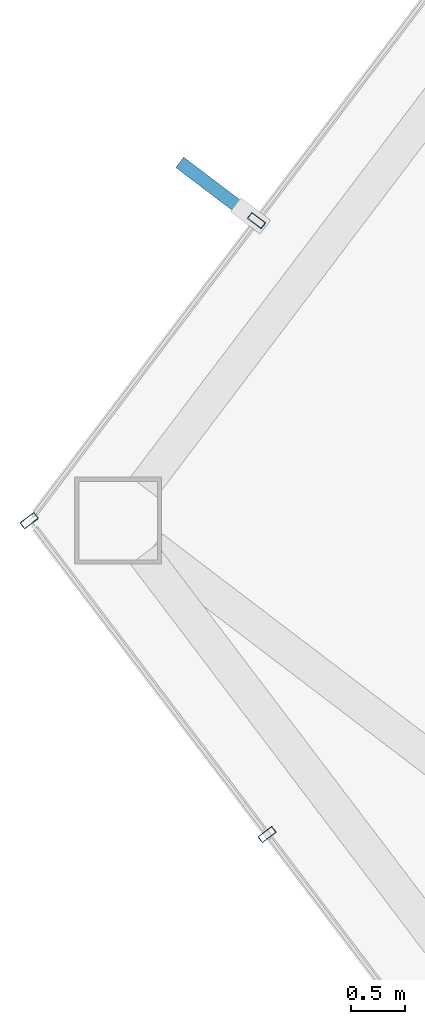
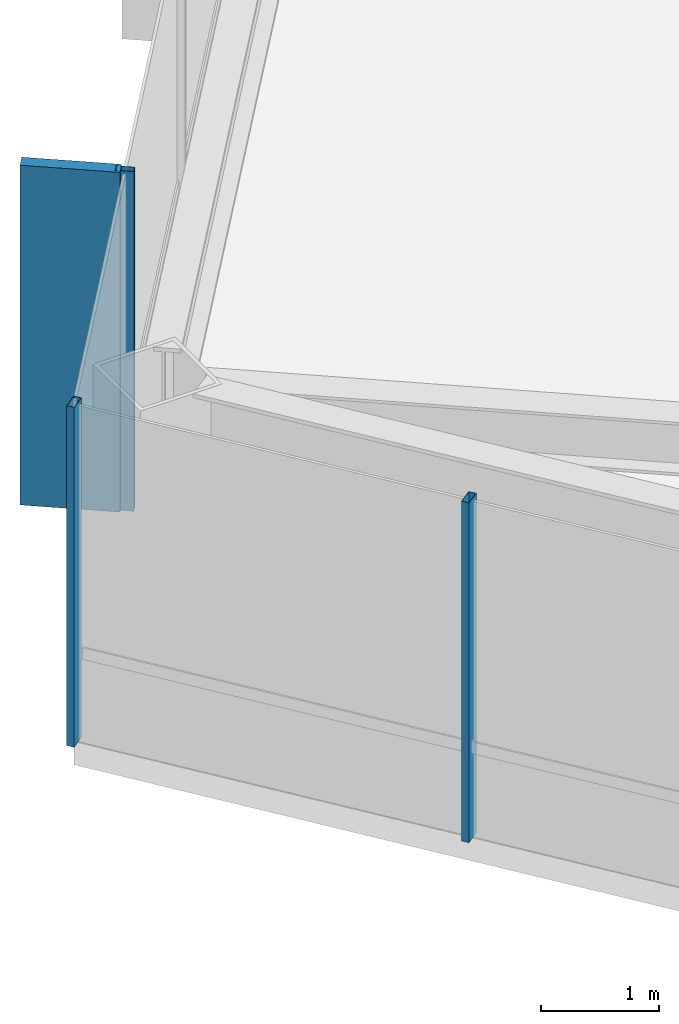
# One storey, part 9 of 28: 4 members, 2 elements without a shape of their own.
"""IFC4 building model written with IfcOpenShell, lengths in metres."""

from ifc_helpers import new_model, si_unit, direction, frame, origin, origin_2d, place, context, subcontext, project, spatial, rectangle, hollow_rectangle, extrude, material, layer, layer_set, material_profile, profile_set, type_object, element, aggregate, save


model = new_model("IFC4")

# Units and contexts
model_context = context("Model", 3, precision=1e-05, world=origin(), true_north=direction((0.0, 1.0)))
body_context = subcontext(model_context, "Body", "Model", "MODEL_VIEW")
ifc_project = project(units=[si_unit("LENGTHUNIT", "METRE"), si_unit("AREAUNIT", "SQUARE_METRE"), si_unit("VOLUMEUNIT", "CUBIC_METRE"), si_unit("PLANEANGLEUNIT", "RADIAN"), si_unit("MASSUNIT", "GRAM", prefix="KILO")], contexts=[model_context])

# Site, building, storey
site_placement = place(None, origin())
site = spatial("IfcSite", under=ifc_project, at=site_placement, CompositionType="ELEMENT")
building_placement = place(site_placement, origin())
building = spatial("IfcBuilding", under=site, at=building_placement, Name="Zarrinselat Tower", CompositionType="ELEMENT")
storey_placement = place(building_placement, frame((0.0, 0.0, 157.080078125)))
storey = spatial("IfcBuildingStorey", under=building, at=storey_placement, Name="L38", CompositionType="ELEMENT", Elevation=157.080078125)

# Curtain wall, members
ifc_material_1 = material(Name="Extruded Aluminium Alloy EN AW-6063 T6", Category="aluminium")
ifc_layer = layer(ifc_material_1, 0.175048828125)
ifc_layer_set = layer_set([ifc_layer], Name="Extruded Aluminium Alloy EN AW-6063 T6")
curtain_wall_type = type_object("IfcCurtainWallType", Name="CWS-HTL", PredefinedType="NOTDEFINED", material=ifc_layer_set)
curtain_wall_1_placement = place(storey_placement, origin())
curtain_wall_1 = element("IfcCurtainWall", 1, at=curtain_wall_1_placement, inside=storey, type_object=curtain_wall_type, Name="L38 Unitised Curtain Wall CW-L38-E01", PredefinedType="NOTDEFINED")
ifc_material_2 = material(Name="Extruded Aluminium Alloy EN AW-6063 T6", Category="aluminium")
ifc_material_profile_1 = material_profile(ifc_material_2, hollow_rectangle(XDim=0.070068359375, YDim=0.159912109375, WallThickness=0.00390625, at=origin_2d()), Name="RHS 160x70x4")
ifc_profile_set_1 = profile_set([ifc_material_profile_1], Name="Extruded Aluminium Alloy EN AW-6063 T6")
member_type_1 = type_object("IfcMemberType", Name="MEM-CW-MUL2", PredefinedType="MULLION", material=ifc_profile_set_1)
member_1_placement = place(storey_placement, frame((17.430908203125, 35.015869140625, 0.0), z_axis=(0.0, 0.0, 1.0), x_axis=(-0.603857992276, 0.797091917639, 0.0)))
member_1 = element("IfcMember", 2, at=member_1_placement, type_object=member_type_1, Name="CW-L38-E01 Mullion 6", PredefinedType="MULLION", context=body_context, shape_type="SweptSolid", body=[
    extrude(hollow_rectangle(XDim=0.070068359375, YDim=0.159912109375, WallThickness=0.00390625, at=origin_2d()), origin(), (0.0, 0.0, 1.0), 3.5),
])
member_2_placement = place(storey_placement, frame((15.24755859375, 37.89794921875, 0.0), z_axis=(0.0, 0.0, 1.0), x_axis=(-0.603857992276, 0.797091917639, 0.0)))
member_2 = element("IfcMember", 3, at=member_2_placement, type_object=member_type_1, Name="CW-L38-E01 Mullion 7", PredefinedType="MULLION", context=body_context, shape_type="SweptSolid", body=[
    extrude(hollow_rectangle(XDim=0.070068359375, YDim=0.159912109375, WallThickness=0.00390625, at=origin_2d()), origin(), (0.0, 0.0, 1.0), 3.5),
])
aggregate(curtain_wall_1, [member_1, member_2])

curtain_wall_2_placement = place(storey_placement, origin())
curtain_wall_2 = element("IfcCurtainWall", 4, at=curtain_wall_2_placement, inside=storey, type_object=curtain_wall_type, Name="L38 Unitised Curtain Wall CW-L38-E02", PredefinedType="NOTDEFINED")
member_3_placement = place(storey_placement, frame((17.33447265625, 40.652587890625, 0.0), z_axis=(0.0, 0.0, 1.0), x_axis=(0.603857687995, 0.797092148154, 0.0)))
member_3 = element("IfcMember", 5, at=member_3_placement, type_object=member_type_1, Name="CW-L38-E02 Mullion 1", PredefinedType="MULLION", context=body_context, shape_type="SweptSolid", body=[
    extrude(hollow_rectangle(XDim=0.070068359375, YDim=0.159912109375, WallThickness=0.00390625, at=origin_2d()), origin(), (0.0, 0.0, 1.0), 3.5),
])
ifc_material_3 = material(Name="Honed Cream Travertine Stone", Category="masonry")
ifc_material_profile_2 = material_profile(ifc_material_3, rectangle(XDim=0.1201171875, YDim=0.85009765625, at=origin_2d()), Name="FIN 850x120")
ifc_profile_set_2 = profile_set([ifc_material_profile_2], Name="Honed Cream Travertine Stone")
member_type_2 = type_object("IfcMemberType", Name="MEM-STONE-FIN", PredefinedType="USERDEFINED", material=ifc_profile_set_2)
member_4_placement = place(storey_placement, frame((16.9677734375, 40.930419921875, 0.0), z_axis=(0.0, 0.0, 1.0), x_axis=(0.603857687995, 0.797092148154, 0.0)))
member_4 = element("IfcMember", 6, at=member_4_placement, type_object=member_type_2, Name="L38 Stone Shading Fin CW-L38-E02-01", ObjectType="FIN", PredefinedType="USERDEFINED", context=body_context, shape_type="SweptSolid", body=[
    extrude(rectangle(XDim=0.1201171875, YDim=0.85009765625, at=origin_2d()), origin(), (0.0, 0.0, 1.0), 3.5),
])
aggregate(curtain_wall_2, [member_3, member_4])

save(model, "model.ifc")
